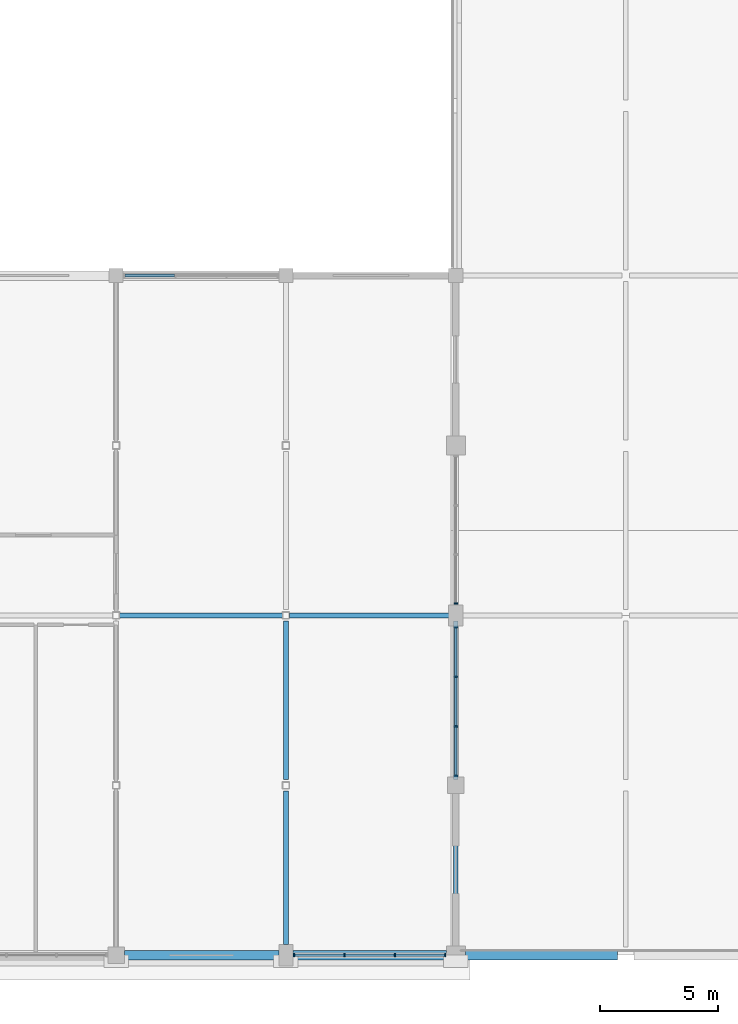
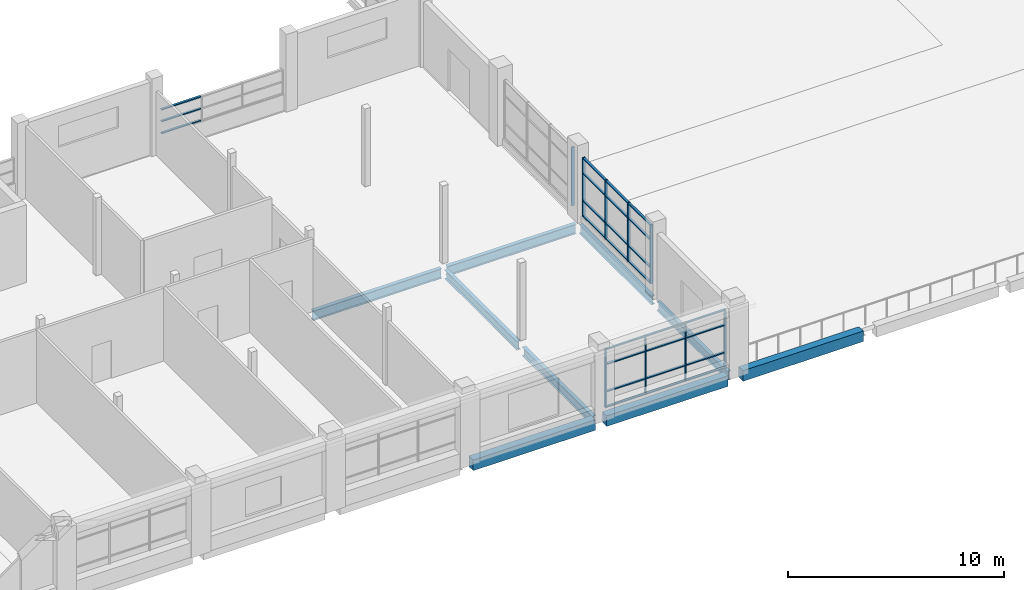
# One storey, part 21 of 71: 36 members, 9 beams, 4 elements without a shape of their own.
"""IFC4 building model written with IfcOpenShell, lengths in metres."""

from ifc_helpers import new_model, si_unit, direction, frame, origin, origin_2d, place, context, subcontext, project, spatial, rectangle, i_section, extrude, material, material_profile, profile_set, type_object, element, aggregate, save


model = new_model("IFC4")

# Units and contexts
model_context = context("Model", 3, precision=1e-05, world=origin(), true_north=direction((0.0, 1.0)))
body_context = subcontext(model_context, "Body", "Model", "MODEL_VIEW")
ifc_project = project(units=[si_unit("LENGTHUNIT", "METRE"), si_unit("AREAUNIT", "SQUARE_METRE"), si_unit("VOLUMEUNIT", "CUBIC_METRE"), si_unit("PLANEANGLEUNIT", "RADIAN"), si_unit("MASSUNIT", "GRAM", prefix="KILO")], contexts=[model_context])

# Site, building, storey
site_placement = place(None, origin())
site = spatial("IfcSite", under=ifc_project, at=site_placement, CompositionType="ELEMENT")
building_placement = place(site_placement, origin())
building = spatial("IfcBuilding", under=site, at=building_placement, Name="Sardonyx Promenade Sports Hall", CompositionType="ELEMENT")
storey_placement = place(building_placement, frame((0.0, 0.0, 16.0)))
storey = spatial("IfcBuildingStorey", under=building, at=storey_placement, Name="L03", CompositionType="ELEMENT", Elevation=16.0)

# Beams
ifc_material_1 = material(Name="Steel S355JR", Category="steel")
ifc_material_profile_1 = material_profile(ifc_material_1, i_section(OverallWidth=0.199951171875, OverallDepth=0.5, WebThickness=0.01025390625, FlangeThickness=0.01611328125, at=origin_2d()))
ifc_profile_set_1 = profile_set([ifc_material_profile_1], Name="Steel S355JR")
beam_type_1 = type_object("IfcBeamType", Name="Bm_Primary_IPE500", PredefinedType="BEAM", material=ifc_profile_set_1)
beam_1_placement = place(storey_placement, frame((100.800048828125, 0.449951171875, -0.5400390625), z_axis=(0.0, 1.0, 0.0), x_axis=(-1.0, 0.0, 0.0)))
element("IfcBeam", 1, at=beam_1_placement, inside=storey, type_object=beam_type_1, Name="Beam SB06 L03 #865", PredefinedType="BEAM", context=body_context, shape_type="SweptSolid", body=[
    extrude(i_section(OverallWidth=0.199951171875, OverallDepth=0.5, WebThickness=0.01025390625, FlangeThickness=0.01611328125, at=origin_2d()), origin(), (0.0, 0.0, 1.0), 6.505126953125),
])
beam_2_placement = place(storey_placement, frame((100.800048828125, 7.445068359375, -0.5400390625), z_axis=(0.0, 1.0, 0.0), x_axis=(-1.0, 0.0, 0.0)))
element("IfcBeam", 2, at=beam_2_placement, inside=storey, type_object=beam_type_1, Name="Beam SB06 L03 #866", PredefinedType="BEAM", context=body_context, shape_type="SweptSolid", body=[
    extrude(i_section(OverallWidth=0.199951171875, OverallDepth=0.5, WebThickness=0.01025390625, FlangeThickness=0.01611328125, at=origin_2d()), origin(), (0.0, 0.0, 1.0), 6.7099609375),
])
beam_3_placement = place(storey_placement, frame((108.0, 0.39990234375, -0.489990234375), z_axis=(0.0, 1.0, 0.0), x_axis=(-1.0, 0.0, 0.0)))
element("IfcBeam", 3, at=beam_3_placement, inside=storey, type_object=beam_type_1, Name="Beam SB06 L03 #869", PredefinedType="BEAM", context=body_context, shape_type="SweptSolid", body=[
    extrude(i_section(OverallWidth=0.199951171875, OverallDepth=0.5, WebThickness=0.01025390625, FlangeThickness=0.01611328125, at=origin_2d()), origin(), (0.0, 0.0, 1.0), 6.55517578125),
])
beam_4_placement = place(storey_placement, frame((108.0, 7.445068359375, -0.489990234375), z_axis=(0.0, 1.0, 0.0), x_axis=(-1.0, 0.0, 0.0)))
element("IfcBeam", 4, at=beam_4_placement, inside=storey, type_object=beam_type_1, Name="Beam SB06 L03 #870", PredefinedType="BEAM", context=body_context, shape_type="SweptSolid", body=[
    extrude(i_section(OverallWidth=0.199951171875, OverallDepth=0.5, WebThickness=0.01025390625, FlangeThickness=0.01611328125, at=origin_2d()), origin(), (0.0, 0.0, 1.0), 6.7099609375),
])
ifc_material_2 = material(Name="Steel S355JR", Category="steel")
ifc_material_profile_2 = material_profile(ifc_material_2, i_section(OverallWidth=0.2099609375, OverallDepth=0.550048828125, WebThickness=0.010986328125, FlangeThickness=0.01708984375, at=origin_2d()))
ifc_profile_set_2 = profile_set([ifc_material_profile_2], Name="Steel S355JR")
beam_type_2 = type_object("IfcBeamType", Name="Bm_Primary_IPE550", PredefinedType="BEAM", material=ifc_profile_set_2)
beam_5_placement = place(storey_placement, frame((93.75, 14.39990234375, -0.56494140625), z_axis=(1.0, 0.0, 0.0), x_axis=(0.0, 1.0, 0.0)))
element("IfcBeam", 5, at=beam_5_placement, inside=storey, type_object=beam_type_2, Name="Beam SB03 L03 #742", PredefinedType="BEAM", context=body_context, shape_type="SweptSolid", body=[
    extrude(i_section(OverallWidth=0.2099609375, OverallDepth=0.550048828125, WebThickness=0.010986328125, FlangeThickness=0.01708984375, at=origin_2d()), origin(), (0.0, 0.0, 1.0), 6.89990234375),
])
beam_6_placement = place(storey_placement, frame((100.949951171875, 14.39990234375, -0.56494140625), z_axis=(1.0, 0.0, 0.0), x_axis=(0.0, 1.0, 0.0)))
element("IfcBeam", 6, at=beam_6_placement, inside=storey, type_object=beam_type_2, Name="Beam SB03 L03 #743", PredefinedType="BEAM", context=body_context, shape_type="SweptSolid", body=[
    extrude(i_section(OverallWidth=0.2099609375, OverallDepth=0.550048828125, WebThickness=0.010986328125, FlangeThickness=0.01708984375, at=origin_2d()), origin(), (0.0, 0.0, 1.0), 6.900146484375),
])
ifc_material_3 = material(Name="Concrete C40/50", Category="concrete")
ifc_material_profile_3 = material_profile(ifc_material_3, rectangle(XDim=0.39990234375, YDim=0.60009765625, at=origin_2d()))
ifc_profile_set_3 = profile_set([ifc_material_profile_3], Name="Concrete C40/50")
beam_type_3 = type_object("IfcBeamType", Name="Bm_Spandrel_RC600", PredefinedType="SPANDREL", material=ifc_profile_set_3)
beam_7_placement = place(storey_placement, frame((93.949951171875, 0.0, -0.300048828125), z_axis=(1.0, 0.0, 0.0), x_axis=(0.0, 1.0, 0.0)))
element("IfcBeam", 7, at=beam_7_placement, inside=storey, type_object=beam_type_3, Name="Beam SPB1 L03 #719", PredefinedType="SPANDREL", context=body_context, shape_type="SweptSolid", body=[
    extrude(rectangle(XDim=0.39990234375, YDim=0.60009765625, at=origin_2d()), origin(), (0.0, 0.0, 1.0), 6.550048828125),
])
beam_8_placement = place(storey_placement, frame((101.10009765625, 0.0, -0.300048828125), z_axis=(1.0, 0.0, 0.0), x_axis=(0.0, 1.0, 0.0)))
element("IfcBeam", 8, at=beam_8_placement, inside=storey, type_object=beam_type_3, Name="Beam SPB1 L03 #720", PredefinedType="SPANDREL", context=body_context, shape_type="SweptSolid", body=[
    extrude(rectangle(XDim=0.39990234375, YDim=0.60009765625, at=origin_2d()), origin(), (0.0, 0.0, 1.0), 6.5),
])
beam_9_placement = place(storey_placement, frame((108.39990234375, 0.0, -0.300048828125), z_axis=(1.0, 0.0, 0.0), x_axis=(0.0, 1.0, 0.0)))
element("IfcBeam", 9, at=beam_9_placement, inside=storey, type_object=beam_type_3, Name="Beam SPB1 L03 #721", PredefinedType="SPANDREL", context=body_context, shape_type="SweptSolid", body=[
    extrude(rectangle(XDim=0.39990234375, YDim=0.60009765625, at=origin_2d()), origin(), (0.0, 0.0, 1.0), 6.4501953125),
])

# Curtain wall, members
ifc_material_4 = material(Name="Aluminium 6063-T6", Category="aluminium")
curtain_wall_type_1 = type_object("IfcCurtainWallType", Name="CW_South_L03_640", PredefinedType="USERDEFINED", material=ifc_material_4)
curtain_wall_1_placement = place(storey_placement, origin())
curtain_wall_1 = element("IfcCurtainWall", 10, at=curtain_wall_1_placement, inside=storey, type_object=curtain_wall_type_1, Name="Curtain wall CW14 cw:L03:041", ObjectType="CURTAIN WALL", PredefinedType="USERDEFINED")
ifc_material_5 = material(Name="Aluminium 6063-T6", Category="aluminium")
ifc_material_profile_4 = material_profile(ifc_material_5, rectangle(XDim=0.06005859375, YDim=0.14990234375, at=origin_2d()))
ifc_profile_set_4 = profile_set([ifc_material_profile_4], Name="Aluminium 6063-T6")
member_type_1 = type_object("IfcMemberType", Name="CW_Mull_150", PredefinedType="MULLION", material=ifc_profile_set_4)
member_1_placement = place(storey_placement, frame((107.550048828125, 0.0, 0.35009765625), z_axis=(0.0, 0.0, 1.0), x_axis=(-1.0, 0.0, 0.0)))
member_1 = element("IfcMember", 11, at=member_1_placement, type_object=member_type_1, Name="Mullion CM01 cw:L03:041 #1", PredefinedType="MULLION", context=body_context, shape_type="SweptSolid", body=[
    extrude(rectangle(XDim=0.06005859375, YDim=0.14990234375, at=origin_2d()), origin(), (0.0, 0.0, 1.0), 3.324951171875),
])
member_2_placement = place(storey_placement, frame((105.416748046875, 0.0, 0.35009765625), z_axis=(0.0, 0.0, 1.0), x_axis=(-1.0, 0.0, 0.0)))
member_2 = element("IfcMember", 12, at=member_2_placement, type_object=member_type_1, Name="Mullion CM01 cw:L03:041 #2", PredefinedType="MULLION", context=body_context, shape_type="SweptSolid", body=[
    extrude(rectangle(XDim=0.06005859375, YDim=0.14990234375, at=origin_2d()), origin(), (0.0, 0.0, 1.0), 3.324951171875),
])
member_3_placement = place(storey_placement, frame((103.283447265625, 0.0, 0.35009765625), z_axis=(0.0, 0.0, 1.0), x_axis=(-1.0, 0.0, 0.0)))
member_3 = element("IfcMember", 13, at=member_3_placement, type_object=member_type_1, Name="Mullion CM01 cw:L03:041 #3", PredefinedType="MULLION", context=body_context, shape_type="SweptSolid", body=[
    extrude(rectangle(XDim=0.06005859375, YDim=0.14990234375, at=origin_2d()), origin(), (0.0, 0.0, 1.0), 3.324951171875),
])
member_4_placement = place(storey_placement, frame((101.14990234375, 0.0, 0.35009765625), z_axis=(0.0, 0.0, 1.0), x_axis=(-1.0, 0.0, 0.0)))
member_4 = element("IfcMember", 14, at=member_4_placement, type_object=member_type_1, Name="Mullion CM01 cw:L03:041 #4", PredefinedType="MULLION", context=body_context, shape_type="SweptSolid", body=[
    extrude(rectangle(XDim=0.06005859375, YDim=0.14990234375, at=origin_2d()), origin(), (0.0, 0.0, 1.0), 3.324951171875),
])

# Curtain wall, member
curtain_wall_2_placement = place(storey_placement, origin())
curtain_wall_2 = element("IfcCurtainWall", 15, at=curtain_wall_2_placement, inside=storey, type_object=curtain_wall_type_1, Name="Curtain wall CW14 cw:L03:161", ObjectType="CURTAIN WALL", PredefinedType="USERDEFINED")
member_5_placement = place(storey_placement, frame((108.0, 14.89990234375, 0.35009765625), z_axis=(0.0, 0.0, 1.0), x_axis=(0.0, -1.0, 0.0)))
member_5 = element("IfcMember", 16, at=member_5_placement, type_object=member_type_1, Name="Mullion CM01 cw:L03:161 #4", PredefinedType="MULLION", context=body_context, shape_type="SweptSolid", body=[
    extrude(rectangle(XDim=0.06005859375, YDim=0.14990234375, at=origin_2d()), origin(), (0.0, 0.0, 1.0), 3.324951171875),
])
aggregate(curtain_wall_2, [member_5])

# Curtain wall, members
curtain_wall_3_placement = place(storey_placement, origin())
curtain_wall_3 = element("IfcCurtainWall", 17, at=curtain_wall_3_placement, inside=storey, type_object=curtain_wall_type_1, Name="Curtain wall CW14 cw:L03:162", ObjectType="CURTAIN WALL", PredefinedType="USERDEFINED")
member_6_placement = place(storey_placement, frame((108.0, 13.89990234375, 0.35009765625), z_axis=(0.0, 0.0, 1.0), x_axis=(0.0, -1.0, 0.0)))
member_6 = element("IfcMember", 18, at=member_6_placement, type_object=member_type_1, Name="Mullion CM01 cw:L03:162 #1", PredefinedType="MULLION", context=body_context, shape_type="SweptSolid", body=[
    extrude(rectangle(XDim=0.06005859375, YDim=0.14990234375, at=origin_2d()), origin(), (0.0, 0.0, 1.0), 3.324951171875),
])
member_7_placement = place(storey_placement, frame((108.0, 11.800048828125, 0.35009765625), z_axis=(0.0, 0.0, 1.0), x_axis=(0.0, -1.0, 0.0)))
member_7 = element("IfcMember", 19, at=member_7_placement, type_object=member_type_1, Name="Mullion CM01 cw:L03:162 #2", PredefinedType="MULLION", context=body_context, shape_type="SweptSolid", body=[
    extrude(rectangle(XDim=0.06005859375, YDim=0.14990234375, at=origin_2d()), origin(), (0.0, 0.0, 1.0), 3.324951171875),
])
member_8_placement = place(storey_placement, frame((108.0, 9.699951171875, 0.35009765625), z_axis=(0.0, 0.0, 1.0), x_axis=(0.0, -1.0, 0.0)))
member_8 = element("IfcMember", 20, at=member_8_placement, type_object=member_type_1, Name="Mullion CM01 cw:L03:162 #3", PredefinedType="MULLION", context=body_context, shape_type="SweptSolid", body=[
    extrude(rectangle(XDim=0.06005859375, YDim=0.14990234375, at=origin_2d()), origin(), (0.0, 0.0, 1.0), 3.324951171875),
])
member_9_placement = place(storey_placement, frame((108.0, 7.60009765625, 0.35009765625), z_axis=(0.0, 0.0, 1.0), x_axis=(0.0, -1.0, 0.0)))
member_9 = element("IfcMember", 21, at=member_9_placement, type_object=member_type_1, Name="Mullion CM01 cw:L03:162 #4", PredefinedType="MULLION", context=body_context, shape_type="SweptSolid", body=[
    extrude(rectangle(XDim=0.06005859375, YDim=0.14990234375, at=origin_2d()), origin(), (0.0, 0.0, 1.0), 3.324951171875),
])

# Member
ifc_material_6 = material(Name="Aluminium 6063-T6", Category="aluminium")
ifc_material_profile_5 = material_profile(ifc_material_6, rectangle(XDim=0.06005859375, YDim=0.1201171875, at=origin_2d()))
ifc_profile_set_5 = profile_set([ifc_material_profile_5], Name="Aluminium 6063-T6")
member_type_2 = type_object("IfcMemberType", Name="CW_Tran_120", PredefinedType="USERDEFINED", material=ifc_profile_set_5)
member_10_placement = place(storey_placement, frame((107.52001953125, 0.0, 0.3798828125), z_axis=(-1.0, 0.0, 0.0), x_axis=(0.0, 0.0, 1.0)))
member_10 = element("IfcMember", 22, at=member_10_placement, type_object=member_type_2, Name="Transom CT01 cw:L03:041 #1", ObjectType="TRANSOM", PredefinedType="USERDEFINED", context=body_context, shape_type="SweptSolid", body=[
    extrude(rectangle(XDim=0.06005859375, YDim=0.1201171875, at=origin_2d()), origin(), (0.0, 0.0, 1.0), 2.0732421875),
])

member_11_placement = place(storey_placement, frame((107.52001953125, 0.0, 1.25), z_axis=(-1.0, 0.0, 0.0), x_axis=(0.0, 0.0, 1.0)))
member_11 = element("IfcMember", 23, at=member_11_placement, type_object=member_type_2, Name="Transom CT01 cw:L03:041 #2", ObjectType="TRANSOM", PredefinedType="USERDEFINED", context=body_context, shape_type="SweptSolid", body=[
    extrude(rectangle(XDim=0.06005859375, YDim=0.1201171875, at=origin_2d()), origin(), (0.0, 0.0, 1.0), 2.0732421875),
])

member_12_placement = place(storey_placement, frame((107.52001953125, 0.0, 2.800048828125), z_axis=(-1.0, 0.0, 0.0), x_axis=(0.0, 0.0, 1.0)))
member_12 = element("IfcMember", 24, at=member_12_placement, type_object=member_type_2, Name="Transom CT01 cw:L03:041 #3", ObjectType="TRANSOM", PredefinedType="USERDEFINED", context=body_context, shape_type="SweptSolid", body=[
    extrude(rectangle(XDim=0.06005859375, YDim=0.1201171875, at=origin_2d()), origin(), (0.0, 0.0, 1.0), 2.0732421875),
])

member_13_placement = place(storey_placement, frame((107.52001953125, 0.0, 3.64501953125), z_axis=(-1.0, 0.0, 0.0), x_axis=(0.0, 0.0, 1.0)))
member_13 = element("IfcMember", 25, at=member_13_placement, type_object=member_type_2, Name="Transom CT01 cw:L03:041 #4", ObjectType="TRANSOM", PredefinedType="USERDEFINED", context=body_context, shape_type="SweptSolid", body=[
    extrude(rectangle(XDim=0.06005859375, YDim=0.1201171875, at=origin_2d()), origin(), (0.0, 0.0, 1.0), 2.0732421875),
])

member_14_placement = place(storey_placement, frame((105.38671875, 0.0, 0.3798828125), z_axis=(-1.0, 0.0, 0.0), x_axis=(0.0, 0.0, 1.0)))
member_14 = element("IfcMember", 26, at=member_14_placement, type_object=member_type_2, Name="Transom CT01 cw:L03:041 #5", ObjectType="TRANSOM", PredefinedType="USERDEFINED", context=body_context, shape_type="SweptSolid", body=[
    extrude(rectangle(XDim=0.06005859375, YDim=0.1201171875, at=origin_2d()), origin(), (0.0, 0.0, 1.0), 2.073486328125),
])

member_15_placement = place(storey_placement, frame((105.38671875, 0.0, 1.25), z_axis=(-1.0, 0.0, 0.0), x_axis=(0.0, 0.0, 1.0)))
member_15 = element("IfcMember", 27, at=member_15_placement, type_object=member_type_2, Name="Transom CT01 cw:L03:041 #6", ObjectType="TRANSOM", PredefinedType="USERDEFINED", context=body_context, shape_type="SweptSolid", body=[
    extrude(rectangle(XDim=0.06005859375, YDim=0.1201171875, at=origin_2d()), origin(), (0.0, 0.0, 1.0), 2.073486328125),
])

member_16_placement = place(storey_placement, frame((105.38671875, 0.0, 2.800048828125), z_axis=(-1.0, 0.0, 0.0), x_axis=(0.0, 0.0, 1.0)))
member_16 = element("IfcMember", 28, at=member_16_placement, type_object=member_type_2, Name="Transom CT01 cw:L03:041 #7", ObjectType="TRANSOM", PredefinedType="USERDEFINED", context=body_context, shape_type="SweptSolid", body=[
    extrude(rectangle(XDim=0.06005859375, YDim=0.1201171875, at=origin_2d()), origin(), (0.0, 0.0, 1.0), 2.073486328125),
])

member_17_placement = place(storey_placement, frame((105.38671875, 0.0, 3.64501953125), z_axis=(-1.0, 0.0, 0.0), x_axis=(0.0, 0.0, 1.0)))
member_17 = element("IfcMember", 29, at=member_17_placement, type_object=member_type_2, Name="Transom CT01 cw:L03:041 #8", ObjectType="TRANSOM", PredefinedType="USERDEFINED", context=body_context, shape_type="SweptSolid", body=[
    extrude(rectangle(XDim=0.06005859375, YDim=0.1201171875, at=origin_2d()), origin(), (0.0, 0.0, 1.0), 2.073486328125),
])

member_18_placement = place(storey_placement, frame((103.25341796875, 0.0, 0.3798828125), z_axis=(-1.0, 0.0, 0.0), x_axis=(0.0, 0.0, 1.0)))
member_18 = element("IfcMember", 30, at=member_18_placement, type_object=member_type_2, Name="Transom CT01 cw:L03:041 #9", ObjectType="TRANSOM", PredefinedType="USERDEFINED", context=body_context, shape_type="SweptSolid", body=[
    extrude(rectangle(XDim=0.06005859375, YDim=0.1201171875, at=origin_2d()), origin(), (0.0, 0.0, 1.0), 2.073486328125),
])

member_19_placement = place(storey_placement, frame((103.25341796875, 0.0, 1.25), z_axis=(-1.0, 0.0, 0.0), x_axis=(0.0, 0.0, 1.0)))
member_19 = element("IfcMember", 31, at=member_19_placement, type_object=member_type_2, Name="Transom CT01 cw:L03:041 #10", ObjectType="TRANSOM", PredefinedType="USERDEFINED", context=body_context, shape_type="SweptSolid", body=[
    extrude(rectangle(XDim=0.06005859375, YDim=0.1201171875, at=origin_2d()), origin(), (0.0, 0.0, 1.0), 2.073486328125),
])

member_20_placement = place(storey_placement, frame((103.25341796875, 0.0, 2.800048828125), z_axis=(-1.0, 0.0, 0.0), x_axis=(0.0, 0.0, 1.0)))
member_20 = element("IfcMember", 32, at=member_20_placement, type_object=member_type_2, Name="Transom CT01 cw:L03:041 #11", ObjectType="TRANSOM", PredefinedType="USERDEFINED", context=body_context, shape_type="SweptSolid", body=[
    extrude(rectangle(XDim=0.06005859375, YDim=0.1201171875, at=origin_2d()), origin(), (0.0, 0.0, 1.0), 2.073486328125),
])

member_21_placement = place(storey_placement, frame((103.25341796875, 0.0, 3.64501953125), z_axis=(-1.0, 0.0, 0.0), x_axis=(0.0, 0.0, 1.0)))
member_21 = element("IfcMember", 33, at=member_21_placement, type_object=member_type_2, Name="Transom CT01 cw:L03:041 #12", ObjectType="TRANSOM", PredefinedType="USERDEFINED", context=body_context, shape_type="SweptSolid", body=[
    extrude(rectangle(XDim=0.06005859375, YDim=0.1201171875, at=origin_2d()), origin(), (0.0, 0.0, 1.0), 2.073486328125),
])

aggregate(curtain_wall_1, [member_1, member_2, member_3, member_4, member_10, member_11, member_12, member_13, member_14, member_15, member_16, member_17, member_18, member_19, member_20, member_21])

member_22_placement = place(storey_placement, frame((108.0, 13.8701171875, 0.3798828125), z_axis=(0.0, -1.0, 0.0), x_axis=(0.0, 0.0, 1.0)))
member_22 = element("IfcMember", 34, at=member_22_placement, type_object=member_type_2, Name="Transom CT01 cw:L03:162 #1", ObjectType="TRANSOM", PredefinedType="USERDEFINED", context=body_context, shape_type="SweptSolid", body=[
    extrude(rectangle(XDim=0.06005859375, YDim=0.1201171875, at=origin_2d()), origin(), (0.0, 0.0, 1.0), 2.0400390625),
])

member_23_placement = place(storey_placement, frame((108.0, 13.8701171875, 1.25), z_axis=(0.0, -1.0, 0.0), x_axis=(0.0, 0.0, 1.0)))
member_23 = element("IfcMember", 35, at=member_23_placement, type_object=member_type_2, Name="Transom CT01 cw:L03:162 #2", ObjectType="TRANSOM", PredefinedType="USERDEFINED", context=body_context, shape_type="SweptSolid", body=[
    extrude(rectangle(XDim=0.06005859375, YDim=0.1201171875, at=origin_2d()), origin(), (0.0, 0.0, 1.0), 2.0400390625),
])

member_24_placement = place(storey_placement, frame((108.0, 13.8701171875, 2.800048828125), z_axis=(0.0, -1.0, 0.0), x_axis=(0.0, 0.0, 1.0)))
member_24 = element("IfcMember", 36, at=member_24_placement, type_object=member_type_2, Name="Transom CT01 cw:L03:162 #3", ObjectType="TRANSOM", PredefinedType="USERDEFINED", context=body_context, shape_type="SweptSolid", body=[
    extrude(rectangle(XDim=0.06005859375, YDim=0.1201171875, at=origin_2d()), origin(), (0.0, 0.0, 1.0), 2.0400390625),
])

member_25_placement = place(storey_placement, frame((108.0, 13.8701171875, 3.64501953125), z_axis=(0.0, -1.0, 0.0), x_axis=(0.0, 0.0, 1.0)))
member_25 = element("IfcMember", 37, at=member_25_placement, type_object=member_type_2, Name="Transom CT01 cw:L03:162 #4", ObjectType="TRANSOM", PredefinedType="USERDEFINED", context=body_context, shape_type="SweptSolid", body=[
    extrude(rectangle(XDim=0.06005859375, YDim=0.1201171875, at=origin_2d()), origin(), (0.0, 0.0, 1.0), 2.0400390625),
])

member_26_placement = place(storey_placement, frame((108.0, 11.77001953125, 0.3798828125), z_axis=(0.0, -1.0, 0.0), x_axis=(0.0, 0.0, 1.0)))
member_26 = element("IfcMember", 38, at=member_26_placement, type_object=member_type_2, Name="Transom CT01 cw:L03:162 #5", ObjectType="TRANSOM", PredefinedType="USERDEFINED", context=body_context, shape_type="SweptSolid", body=[
    extrude(rectangle(XDim=0.06005859375, YDim=0.1201171875, at=origin_2d()), origin(), (0.0, 0.0, 1.0), 2.0400390625),
])

member_27_placement = place(storey_placement, frame((108.0, 11.77001953125, 1.25), z_axis=(0.0, -1.0, 0.0), x_axis=(0.0, 0.0, 1.0)))
member_27 = element("IfcMember", 39, at=member_27_placement, type_object=member_type_2, Name="Transom CT01 cw:L03:162 #6", ObjectType="TRANSOM", PredefinedType="USERDEFINED", context=body_context, shape_type="SweptSolid", body=[
    extrude(rectangle(XDim=0.06005859375, YDim=0.1201171875, at=origin_2d()), origin(), (0.0, 0.0, 1.0), 2.0400390625),
])

member_28_placement = place(storey_placement, frame((108.0, 11.77001953125, 2.800048828125), z_axis=(0.0, -1.0, 0.0), x_axis=(0.0, 0.0, 1.0)))
member_28 = element("IfcMember", 40, at=member_28_placement, type_object=member_type_2, Name="Transom CT01 cw:L03:162 #7", ObjectType="TRANSOM", PredefinedType="USERDEFINED", context=body_context, shape_type="SweptSolid", body=[
    extrude(rectangle(XDim=0.06005859375, YDim=0.1201171875, at=origin_2d()), origin(), (0.0, 0.0, 1.0), 2.0400390625),
])

member_29_placement = place(storey_placement, frame((108.0, 11.77001953125, 3.64501953125), z_axis=(0.0, -1.0, 0.0), x_axis=(0.0, 0.0, 1.0)))
member_29 = element("IfcMember", 41, at=member_29_placement, type_object=member_type_2, Name="Transom CT01 cw:L03:162 #8", ObjectType="TRANSOM", PredefinedType="USERDEFINED", context=body_context, shape_type="SweptSolid", body=[
    extrude(rectangle(XDim=0.06005859375, YDim=0.1201171875, at=origin_2d()), origin(), (0.0, 0.0, 1.0), 2.0400390625),
])

member_30_placement = place(storey_placement, frame((108.0, 9.669921875, 0.3798828125), z_axis=(0.0, -1.0, 0.0), x_axis=(0.0, 0.0, 1.0)))
member_30 = element("IfcMember", 42, at=member_30_placement, type_object=member_type_2, Name="Transom CT01 cw:L03:162 #9", ObjectType="TRANSOM", PredefinedType="USERDEFINED", context=body_context, shape_type="SweptSolid", body=[
    extrude(rectangle(XDim=0.06005859375, YDim=0.1201171875, at=origin_2d()), origin(), (0.0, 0.0, 1.0), 2.0400390625),
])

member_31_placement = place(storey_placement, frame((108.0, 9.669921875, 1.25), z_axis=(0.0, -1.0, 0.0), x_axis=(0.0, 0.0, 1.0)))
member_31 = element("IfcMember", 43, at=member_31_placement, type_object=member_type_2, Name="Transom CT01 cw:L03:162 #10", ObjectType="TRANSOM", PredefinedType="USERDEFINED", context=body_context, shape_type="SweptSolid", body=[
    extrude(rectangle(XDim=0.06005859375, YDim=0.1201171875, at=origin_2d()), origin(), (0.0, 0.0, 1.0), 2.0400390625),
])

member_32_placement = place(storey_placement, frame((108.0, 9.669921875, 2.800048828125), z_axis=(0.0, -1.0, 0.0), x_axis=(0.0, 0.0, 1.0)))
member_32 = element("IfcMember", 44, at=member_32_placement, type_object=member_type_2, Name="Transom CT01 cw:L03:162 #11", ObjectType="TRANSOM", PredefinedType="USERDEFINED", context=body_context, shape_type="SweptSolid", body=[
    extrude(rectangle(XDim=0.06005859375, YDim=0.1201171875, at=origin_2d()), origin(), (0.0, 0.0, 1.0), 2.0400390625),
])

member_33_placement = place(storey_placement, frame((108.0, 9.669921875, 3.64501953125), z_axis=(0.0, -1.0, 0.0), x_axis=(0.0, 0.0, 1.0)))
member_33 = element("IfcMember", 45, at=member_33_placement, type_object=member_type_2, Name="Transom CT01 cw:L03:162 #12", ObjectType="TRANSOM", PredefinedType="USERDEFINED", context=body_context, shape_type="SweptSolid", body=[
    extrude(rectangle(XDim=0.06005859375, YDim=0.1201171875, at=origin_2d()), origin(), (0.0, 0.0, 1.0), 2.0400390625),
])

aggregate(curtain_wall_3, [member_6, member_7, member_8, member_9, member_22, member_23, member_24, member_25, member_26, member_27, member_28, member_29, member_30, member_31, member_32, member_33])

# Curtain wall, members
ifc_material_7 = material(Name="Aluminium 6063-T6", Category="aluminium")
curtain_wall_type_2 = type_object("IfcCurtainWallType", Name="CW_Spandrel_Band", PredefinedType="USERDEFINED", material=ifc_material_7)
curtain_wall_4_placement = place(storey_placement, origin())
curtain_wall_4 = element("IfcCurtainWall", 46, at=curtain_wall_4_placement, inside=storey, type_object=curtain_wall_type_2, Name="Curtain wall CW16 cw:L03:167", ObjectType="CURTAIN WALL", PredefinedType="USERDEFINED")
member_34_placement = place(storey_placement, frame((93.97998046875, 28.800048828125, 0.929931640625), z_axis=(1.0, 0.0, 0.0), x_axis=(0.0, 0.0, 1.0)))
member_34 = element("IfcMember", 47, at=member_34_placement, type_object=member_type_2, Name="Transom CT01 cw:L03:167 #1", ObjectType="TRANSOM", PredefinedType="USERDEFINED", context=body_context, shape_type="SweptSolid", body=[
    extrude(rectangle(XDim=0.06005859375, YDim=0.1201171875, at=origin_2d()), origin(), (0.0, 0.0, 1.0), 2.106689453125),
])
member_35_placement = place(storey_placement, frame((93.97998046875, 28.800048828125, 1.60009765625), z_axis=(1.0, 0.0, 0.0), x_axis=(0.0, 0.0, 1.0)))
member_35 = element("IfcMember", 48, at=member_35_placement, type_object=member_type_2, Name="Transom CT01 cw:L03:167 #2", ObjectType="TRANSOM", PredefinedType="USERDEFINED", context=body_context, shape_type="SweptSolid", body=[
    extrude(rectangle(XDim=0.06005859375, YDim=0.1201171875, at=origin_2d()), origin(), (0.0, 0.0, 1.0), 2.106689453125),
])
member_36_placement = place(storey_placement, frame((93.97998046875, 28.800048828125, 2.27001953125), z_axis=(1.0, 0.0, 0.0), x_axis=(0.0, 0.0, 1.0)))
member_36 = element("IfcMember", 49, at=member_36_placement, type_object=member_type_2, Name="Transom CT01 cw:L03:167 #3", ObjectType="TRANSOM", PredefinedType="USERDEFINED", context=body_context, shape_type="SweptSolid", body=[
    extrude(rectangle(XDim=0.06005859375, YDim=0.1201171875, at=origin_2d()), origin(), (0.0, 0.0, 1.0), 2.106689453125),
])
aggregate(curtain_wall_4, [member_34, member_35, member_36])

save(model, "model.ifc")
